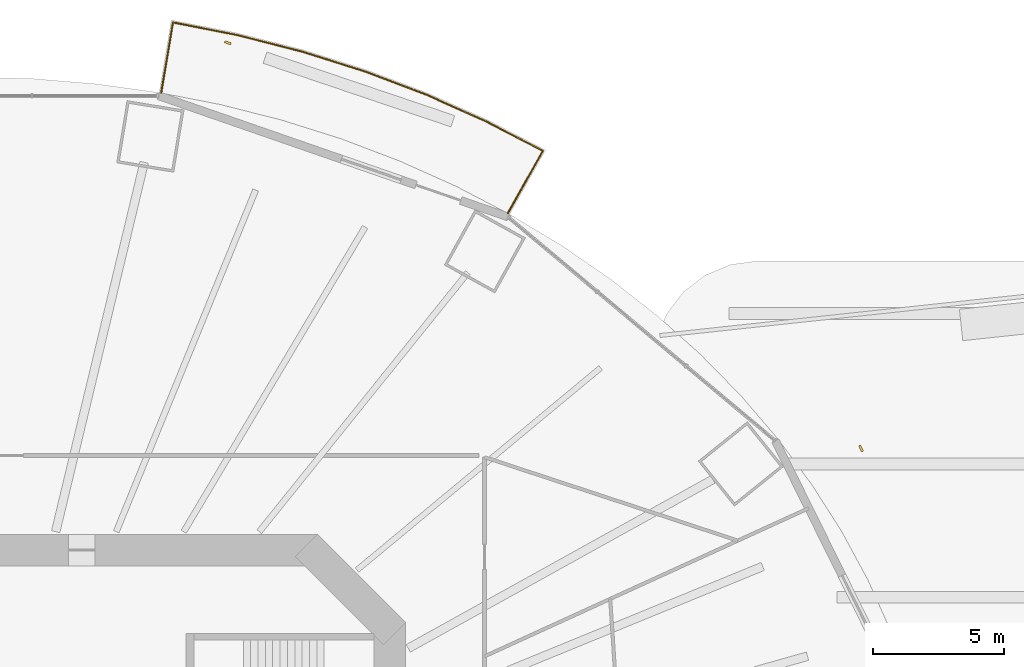
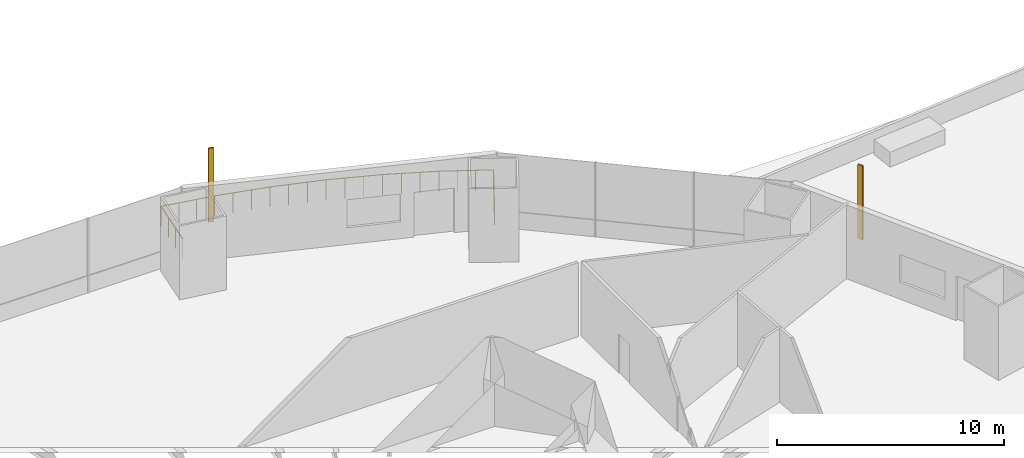
# One storey, part 26 of 27: 2 shading devices, 1 railing.
"""IFC4 building model written with IfcOpenShell, lengths in metres."""

from ifc_helpers import new_model, si_unit, direction, frame, origin, origin_2d, place, context, subcontext, project, spatial, rectangle, circle, extrude, material, material_profile, profile_set, type_object, element, save


model = new_model("IFC4")

# Units and contexts
model_context = context("Model", 3, precision=1e-05, world=origin(), true_north=direction((0.0, 1.0)))
body_context = subcontext(model_context, "Body", "Model", "MODEL_VIEW")
ifc_project = project(units=[si_unit("LENGTHUNIT", "METRE"), si_unit("AREAUNIT", "SQUARE_METRE"), si_unit("VOLUMEUNIT", "CUBIC_METRE"), si_unit("PLANEANGLEUNIT", "RADIAN"), si_unit("MASSUNIT", "GRAM", prefix="KILO")], contexts=[model_context])

# Site, building, storey
site_placement = place(None, origin())
site = spatial("IfcSite", under=ifc_project, at=site_placement, CompositionType="ELEMENT")
building_placement = place(site_placement, origin())
building = spatial("IfcBuilding", under=site, at=building_placement, Name="Marenthal Gate Tower", CompositionType="ELEMENT")
storey_placement = place(building_placement, frame((0.0, 0.0, 33.0)))
storey = spatial("IfcBuildingStorey", under=building, at=storey_placement, Name="L04", CompositionType="ELEMENT", Elevation=33.0)

# Railing
ifc_material_1 = material(Name="Stainless steel", Category="steel")
railing_type = type_object("IfcRailingType", Name="Balcony guard 1100", PredefinedType="GUARDRAIL", material=ifc_material_1)
railing_placement = place(storey_placement, frame((7.297119140625, 30.39111328125, 0.0)))
element("IfcRailing", 1, at=railing_placement, inside=storey, type_object=railing_type, Name="Balcony guard L04 bay 3", PredefinedType="GUARDRAIL", context=body_context, shape_type="SweptSolid", body=[
    extrude(circle(Radius=0.02392578125, at=origin_2d()), frame((0.0, 0.0, 1.076171875), z_axis=(0.164512163182, 0.986265227064, -0.014719036968), x_axis=(-0.986372081632, 0.164529986862, 0.0)), (0.0, 0.0, 1.0), 2.72021484375),
    extrude(circle(Radius=0.02392578125, at=origin_2d()), frame((0.447509765625, 2.682861328125, 1.0361328125), z_axis=(0.981295113893, -0.192509478854, 0.0), x_axis=(0.192509478854, 0.981295113893, 0.0)), (0.0, 0.0, 1.0), 2.474365234375),
    extrude(circle(Radius=0.02392578125, at=origin_2d()), frame((2.87548828125, 2.20654296875, 1.0361328125), z_axis=(0.969175134663, -0.246372803593, 0.0), x_axis=(0.246372803593, 0.969175134663, 0.0)), (0.0, 0.0, 1.0), 2.543701171875),
    extrude(circle(Radius=0.02392578125, at=origin_2d()), frame((5.3408203125, 1.579833984375, 1.0361328125), z_axis=(0.953699220219, -0.300762027778, 0.0), x_axis=(0.300762027778, 0.953699220219, 0.0)), (0.0, 0.0, 1.0), 2.531005859375),
    extrude(circle(Radius=0.02392578125, at=origin_2d()), frame((7.754638671875, 0.818603515625, 1.0361328125), z_axis=(0.934889862007, -0.354937946572, 0.0), x_axis=(0.354937946572, 0.934889862007, 0.0)), (0.0, 0.0, 1.0), 2.51611328125),
    extrude(circle(Radius=0.02392578125, at=origin_2d()), frame((10.10693359375, -0.074462890625, 1.0361328125), z_axis=(0.912627469977, -0.4087922468, 0.0), x_axis=(0.4087922468, 0.912627469977, 0.0)), (0.0, 0.0, 1.0), 2.499267578125),
    extrude(circle(Radius=0.02392578125, at=origin_2d()), frame((12.387939453125, -1.09619140625, 1.0361328125), z_axis=(0.887343289023, -0.461109409387, 0.0), x_axis=(0.461109409387, 0.887343289023, 0.0)), (0.0, 0.0, 1.0), 2.401123046875),
    extrude(circle(Radius=0.02392578125, at=origin_2d()), frame((14.5185546875, -2.203369140625, 1.0361328125), z_axis=(-0.488673415611, -0.872342626214, 0.014718538138), x_axis=(0.872437131701, -0.488726356184, 0.0)), (0.0, 0.0, 1.0), 2.72021484375),
    extrude(circle(Radius=0.02099609375, at=origin_2d()), origin(), (0.0, 0.0, 1.0), 1.052001953125),
    extrude(circle(Radius=0.02099609375, at=origin_2d()), frame((0.149169921875, 0.894287109375, -0.013427734375)), (0.0, 0.0, 1.0), 1.052001953125),
    extrude(circle(Radius=0.02099609375, at=origin_2d()), frame((0.29833984375, 1.78857421875, -0.026611328125)), (0.0, 0.0, 1.0), 1.052001953125),
    extrude(circle(Radius=0.02099609375, at=origin_2d()), frame((0.447509765625, 2.682861328125, -0.0400390625)), (0.0, 0.0, 1.0), 1.052001953125),
    extrude(circle(Radius=0.02099609375, at=origin_2d()), frame((1.2568359375, 2.524169921875, -0.0400390625)), (0.0, 0.0, 1.0), 1.052001953125),
    extrude(circle(Radius=0.02099609375, at=origin_2d()), frame((2.066162109375, 2.365234375, -0.0400390625)), (0.0, 0.0, 1.0), 1.052001953125),
    extrude(circle(Radius=0.02099609375, at=origin_2d()), frame((2.87548828125, 2.20654296875, -0.0400390625)), (0.0, 0.0, 1.0), 1.052001953125),
    extrude(circle(Radius=0.02099609375, at=origin_2d()), frame((3.697265625, 1.99755859375, -0.0400390625)), (0.0, 0.0, 1.0), 1.052001953125),
    extrude(circle(Radius=0.02099609375, at=origin_2d()), frame((4.51904296875, 1.788818359375, -0.0400390625)), (0.0, 0.0, 1.0), 1.052001953125),
    extrude(circle(Radius=0.02099609375, at=origin_2d()), frame((5.3408203125, 1.579833984375, -0.0400390625)), (0.0, 0.0, 1.0), 1.052001953125),
    extrude(circle(Radius=0.02099609375, at=origin_2d()), frame((6.1455078125, 1.326171875, -0.0400390625)), (0.0, 0.0, 1.0), 1.052001953125),
    extrude(circle(Radius=0.02099609375, at=origin_2d()), frame((6.949951171875, 1.072265625, -0.0400390625)), (0.0, 0.0, 1.0), 1.052001953125),
    extrude(circle(Radius=0.02099609375, at=origin_2d()), frame((7.754638671875, 0.818603515625, -0.0400390625)), (0.0, 0.0, 1.0), 1.052001953125),
    extrude(circle(Radius=0.02099609375, at=origin_2d()), frame((8.538818359375, 0.52099609375, -0.0400390625)), (0.0, 0.0, 1.0), 1.052001953125),
    extrude(circle(Radius=0.02099609375, at=origin_2d()), frame((9.32275390625, 0.22314453125, -0.0400390625)), (0.0, 0.0, 1.0), 1.052001953125),
    extrude(circle(Radius=0.02099609375, at=origin_2d()), frame((10.10693359375, -0.074462890625, -0.0400390625)), (0.0, 0.0, 1.0), 1.052001953125),
    extrude(circle(Radius=0.02099609375, at=origin_2d()), frame((10.8671875, -0.4150390625, -0.0400390625)), (0.0, 0.0, 1.0), 1.052001953125),
    extrude(circle(Radius=0.02099609375, at=origin_2d()), frame((11.627685546875, -0.755615234375, -0.0400390625)), (0.0, 0.0, 1.0), 1.052001953125),
    extrude(circle(Radius=0.02099609375, at=origin_2d()), frame((12.387939453125, -1.09619140625, -0.0400390625)), (0.0, 0.0, 1.0), 1.052001953125),
    extrude(circle(Radius=0.02099609375, at=origin_2d()), frame((13.09814453125, -1.46533203125, -0.0400390625)), (0.0, 0.0, 1.0), 1.052001953125),
    extrude(circle(Radius=0.02099609375, at=origin_2d()), frame((13.808349609375, -1.834228515625, -0.0400390625)), (0.0, 0.0, 1.0), 1.052001953125),
    extrude(circle(Radius=0.02099609375, at=origin_2d()), frame((14.5185546875, -2.203369140625, -0.0400390625)), (0.0, 0.0, 1.0), 1.052001953125),
    extrude(circle(Radius=0.02099609375, at=origin_2d()), frame((14.075439453125, -2.994384765625, -0.026611328125)), (0.0, 0.0, 1.0), 1.052001953125),
    extrude(circle(Radius=0.02099609375, at=origin_2d()), frame((13.63232421875, -3.785400390625, -0.013427734375)), (0.0, 0.0, 1.0), 1.052001953125),
    extrude(circle(Radius=0.02099609375, at=origin_2d()), frame((13.189208984375, -4.576416015625, 0.0)), (0.0, 0.0, 1.0), 1.052001953125),
])

# Shading devices
ifc_material_2 = material(Name="Terracotta", Category="masonry")
ifc_material_profile = material_profile(ifc_material_2, rectangle(XDim=0.25, YDim=0.080078125, at=origin_2d()), Name="Terracotta baguette 250x80")
ifc_profile_set = profile_set([ifc_material_profile], Name="Terracotta")
shading_device_type = type_object("IfcShadingDeviceType", Name="Terracotta BAGUETTE SCREEN 250x80", PredefinedType="USERDEFINED", material=ifc_profile_set)
for number, where, z_axis, x_axis, name in (
    (2, (33.922119140625, 16.865234375, -0.0400390625), (0.0, 0.0, 1.0), (-0.443119622411, 0.896462492374, 0.0), "Terracotta BAGUETTE L04 bay 1R"),
    (3, (9.830078125, 32.298095703125, -0.0400390625), (0.0, 0.0, 1.0), (-0.944708230663, 0.327912120725, 0.0), "Terracotta BAGUETTE L04 bay 3R"),
):
    element("IfcShadingDevice", number, at=place(storey_placement, frame(where, z_axis=z_axis, x_axis=x_axis)), inside=storey, type_object=shading_device_type, Name=name, ObjectType="BAGUETTE SCREEN", PredefinedType="USERDEFINED", context=body_context, shape_type="SweptSolid", body=[
        extrude(rectangle(XDim=0.25, YDim=0.080078125, at=origin_2d()), origin(), (0.0, 0.0, 1.0), 3.969970703125),
    ])

save(model, "model.ifc")
